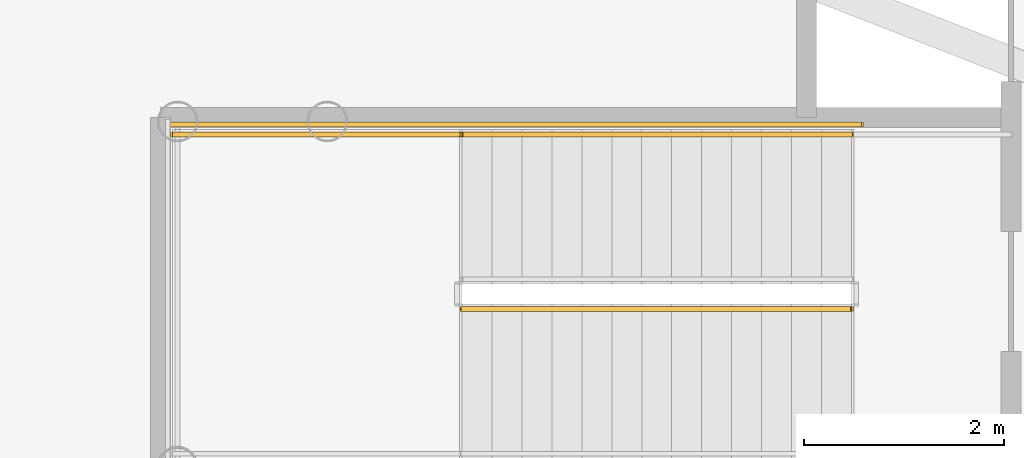
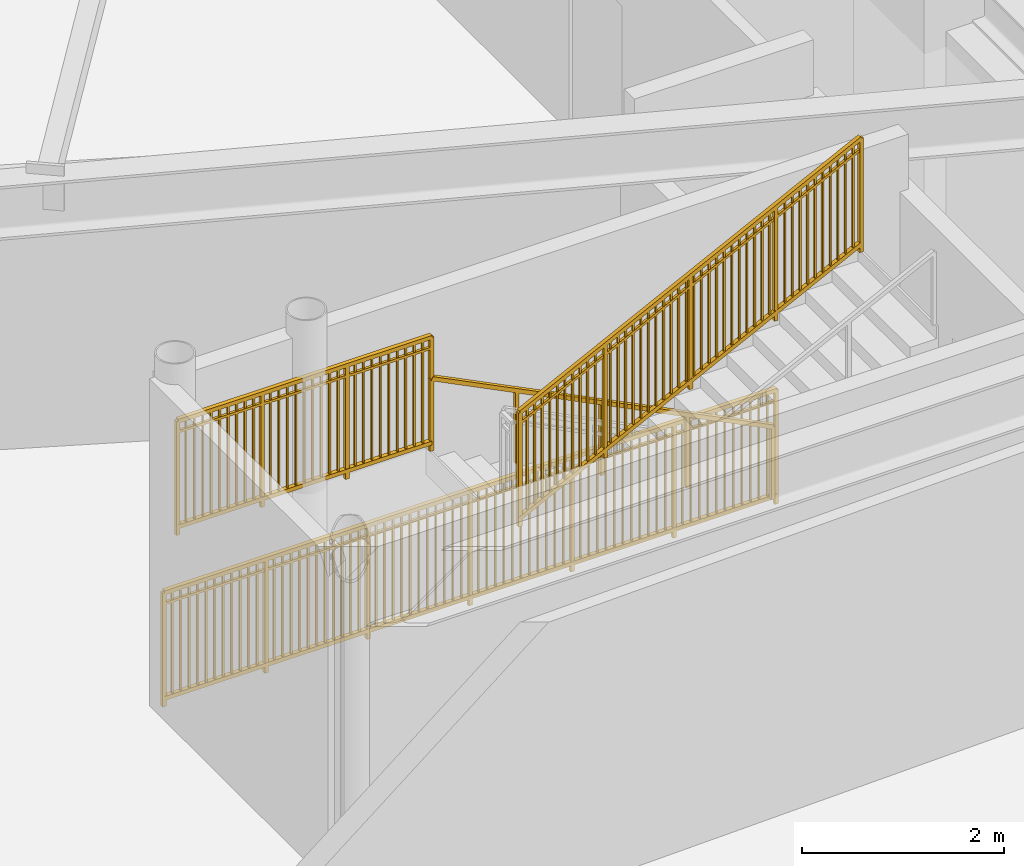
# One storey, part 23 of 32: 4 railings.
"""IFC4 building model written with IfcOpenShell, lengths in metres."""

import ifcopenshell
import ifcopenshell.guid

model = None  # the IFC model being written
_history = None  # IfcOwnerHistory: only IFC2X3 demands one
_inside = {}  # id of a spatial element -> (the spatial element, [elements in it])
_under = {}  # id of a project, library or spatial element -> (it, [spatial elements below it])
_declared = {}  # id of a project -> (the project, [libraries it declares])
_typed = {}  # id of a type object -> (the type object, [elements of that type])
_made_of = {}  # id of a material, layer set ... -> (it, [elements and type objects made of it])


def new_model(schema):
    """Start an empty IFC model of exactly this schema.

    Asked for "IFC4X3", IfcOpenShell would pick the latest addendum, in which some entities
    have other attributes; the version numbers below select the first issue.
    IFC2X3 requires an IfcOwnerHistory on every rooted entity: one is made here for all.
    """
    global model, _history
    if schema == "IFC4X3":
        model = ifcopenshell.file(schema_version=(4, 3, 0, 0))
    else:
        model = ifcopenshell.file(schema=schema)
    _inside.clear()
    _under.clear()
    _declared.clear()
    _typed.clear()
    _made_of.clear()
    _history = None
    if model.schema == "IFC2X3":
        org = make("IfcOrganization", Name="unknown")
        user = make(
            "IfcPersonAndOrganization",
            ThePerson=make("IfcPerson", FamilyName="unknown"),
            TheOrganization=org,
        )
        app = make(
            "IfcApplication",
            ApplicationDeveloper=org,
            Version="unknown",
            ApplicationFullName="unknown",
            ApplicationIdentifier="unknown",
        )
        _history = make(
            "IfcOwnerHistory",
            OwningUser=user,
            OwningApplication=app,
            ChangeAction="ADDED",
            CreationDate=0,
        )
    return model


def make(cls, **values):
    """One entity of the class cls with the attributes given. An attribute that is None is left unset."""
    return model.create_entity(
        cls, **{name: value for name, value in values.items() if value is not None}
    )


def rooted(cls, **values):
    """An entity with a GlobalId (a new one), such as an element, a storey or a relation."""
    return make(cls, GlobalId=ifcopenshell.guid.new(), OwnerHistory=_history, **values)


def si_unit(unit_type, name, prefix=None):
    """IfcSIUnit, for example si_unit("LENGTHUNIT", "METRE", prefix="MILLI")."""
    return make("IfcSIUnit", UnitType=unit_type, Prefix=prefix, Name=name)


def assignment(units):
    """IfcUnitAssignment: the units of a project."""
    return None if units is None else make("IfcUnitAssignment", Units=units)


def point(xyz):
    """IfcCartesianPoint."""
    return None if xyz is None else make("IfcCartesianPoint", Coordinates=xyz)


def direction(xyz):
    """IfcDirection."""
    return None if xyz is None else make("IfcDirection", DirectionRatios=xyz)


def frame(location, z_axis=None, x_axis=None):
    """IfcAxis2Placement3D, a coordinate frame: its origin and axes. An axis left out is left unset."""
    return make(
        "IfcAxis2Placement3D",
        Location=point(location),
        Axis=direction(z_axis),
        RefDirection=direction(x_axis),
    )


def frame_2d(location, x_axis=None):
    """IfcAxis2Placement2D, a coordinate frame in the plane: its origin and x axis."""
    return make(
        "IfcAxis2Placement2D", Location=point(location), RefDirection=direction(x_axis)
    )


def origin():
    """The frame at (0, 0, 0) with its axes left unset."""
    return frame((0.0, 0.0, 0.0))


def origin_2d():
    """The frame at (0, 0) in the plane with its x axis left unset."""
    return frame_2d((0.0, 0.0))


def place(relative_to, where):
    """IfcLocalPlacement: puts the frame where relative to a parent placement (None: the world)."""
    return make(
        "IfcLocalPlacement", PlacementRelTo=relative_to, RelativePlacement=where
    )


def context(
    kind, dimensions, precision=None, world=None, true_north=None, identifier=None
):
    """IfcGeometricRepresentationContext, for example the 3D "Model" context."""
    return make(
        "IfcGeometricRepresentationContext",
        ContextIdentifier=identifier,
        ContextType=kind,
        CoordinateSpaceDimension=dimensions,
        Precision=precision,
        WorldCoordinateSystem=world,
        TrueNorth=true_north,
    )


def subcontext(parent, identifier, kind, view, scale=None):
    """IfcGeometricRepresentationSubContext, for example "Body" below "Model"."""
    return make(
        "IfcGeometricRepresentationSubContext",
        ContextIdentifier=identifier,
        ContextType=kind,
        ParentContext=parent,
        TargetScale=scale,
        TargetView=view,
    )


def project(units=None, contexts=None):
    """IfcProject with its units and contexts."""
    return rooted(
        "IfcProject",
        Name="project",
        RepresentationContexts=contexts,
        UnitsInContext=assignment(units),
    )


def spatial(cls, under=None, at=None, **own):
    """A site, building, storey or space (cls), placed at a placement, below another one or the project."""
    s = rooted(cls, ObjectPlacement=at, **own)
    if under is not None:
        _under.setdefault(under.id(), (under, []))[1].append(s)
    return s


def profile(cls, at=None, kind="AREA", **sizes):
    """A parametric profile (cls). Its sizes go by their IFC names, for example OverallWidth=200.0."""
    return make(cls, ProfileType=kind, Position=at, **sizes)


def rectangle(**sizes):
    """IfcRectangleProfileDef."""
    return profile("IfcRectangleProfileDef", **sizes)


def extrude(swept, where, along, depth):
    """IfcExtrudedAreaSolid: the profile swept, set in the frame where, extruded along a direction by depth."""
    return make(
        "IfcExtrudedAreaSolid",
        SweptArea=swept,
        Position=where,
        ExtrudedDirection=direction(along),
        Depth=depth,
    )


def shape(context_of_items, identifier, shape_type, items):
    """IfcShapeRepresentation: the items that make up one representation, for example the "Body"."""
    return make(
        "IfcShapeRepresentation",
        ContextOfItems=context_of_items,
        RepresentationIdentifier=identifier,
        RepresentationType=shape_type,
        Items=items,
    )


def source(mapping_origin, context_of_items, identifier, shape_type, items):
    """IfcRepresentationMap: a shape defined once, which mapped items show again and again."""
    return make(
        "IfcRepresentationMap",
        MappingOrigin=mapping_origin,
        MappedRepresentation=shape(context_of_items, identifier, shape_type, items),
    )


def transform(
    local_origin,
    x_axis=None,
    y_axis=None,
    z_axis=None,
    scale=None,
    scale2=None,
    scale3=None,
    uniform=True,
):
    """IfcCartesianTransformationOperator3D, or its non-uniform kind. x_axis, y_axis, z_axis: its Axis1, 2, 3."""
    if uniform:
        return make(
            "IfcCartesianTransformationOperator3D",
            Axis1=direction(x_axis),
            Axis2=direction(y_axis),
            LocalOrigin=point(local_origin),
            Scale=scale,
            Axis3=direction(z_axis),
        )
    return make(
        "IfcCartesianTransformationOperator3DnonUniform",
        Axis1=direction(x_axis),
        Axis2=direction(y_axis),
        LocalOrigin=point(local_origin),
        Scale=scale,
        Axis3=direction(z_axis),
        Scale2=scale2,
        Scale3=scale3,
    )


def mapped(mapping_source, mapping_target):
    """IfcMappedItem: shows the shape of a source again, moved by a transform."""
    return make(
        "IfcMappedItem", MappingSource=mapping_source, MappingTarget=mapping_target
    )


def material(Name=None, Category=None):
    """IfcMaterial."""
    return make("IfcMaterial", Name=Name, Category=Category)


def made_of(thing, what):
    """Note that an element or type object is made of a material, layer set ...; save() writes the relation."""
    if what is not None:
        _made_of.setdefault(what.id(), (what, []))[1].append(thing)
    return thing


def type_object(cls, material=None, **own):
    """A type object (cls), such as IfcWallType, which elements share."""
    return made_of(rooted(cls, **own), material)


def element(
    cls,
    number,
    at=None,
    inside=None,
    cuts=None,
    type_object=None,
    material=None,
    context=None,
    identifier="Body",
    shape_type=None,
    held_by="IfcProductDefinitionShape",
    body=None,
    shapes=None,
    **own,
):
    """One element of the class cls, such as IfcWall. Its Tag is "e" and its number.

    at: its placement. inside: the storey or other place that contains it. cuts: it is an
    opening in that element (IfcRelVoidsElement). A single representation is given by context,
    identifier, shape_type and body (its items); several are given by shapes. held_by: the class
    of the entity that holds the representations. save() writes the other relations.
    """
    e = rooted(cls, Tag="e%d" % number, ObjectPlacement=at, **own)
    if body is not None:
        shapes = [shape(context, identifier, shape_type, body)]
    if shapes is not None:
        e.Representation = make(held_by, Representations=shapes)
    if inside is not None:
        _inside.setdefault(inside.id(), (inside, []))[1].append(e)
    if cuts is not None:
        rooted(
            "IfcRelVoidsElement", RelatingBuildingElement=cuts, RelatedOpeningElement=e
        )
    if type_object is not None:
        _typed.setdefault(type_object.id(), (type_object, []))[1].append(e)
    return made_of(e, material)


def aggregate(whole, parts):
    """IfcRelAggregates: a whole, such as a stair, and the parts it consists of."""
    return rooted("IfcRelAggregates", RelatingObject=whole, RelatedObjects=parts)


def save(model, path):
    """Write the relations noted so far, then the file.

    IfcRelAggregates (storeys below a building ...), IfcRelContainedInSpatialStructure (elements
    in a storey), IfcRelDefinesByType, IfcRelAssociatesMaterial and IfcRelDeclares: one each for
    every whole, place, type object, material and project.
    """
    for whole, parts in _under.values():
        aggregate(whole, parts)
    for where, things in _inside.values():
        rooted(
            "IfcRelContainedInSpatialStructure",
            RelatedElements=things,
            RelatingStructure=where,
        )
    for kind, things in _typed.values():
        rooted("IfcRelDefinesByType", RelatedObjects=things, RelatingType=kind)
    for what, things in _made_of.values():
        rooted("IfcRelAssociatesMaterial", RelatedObjects=things, RelatingMaterial=what)
    for by, libraries in _declared.values():
        rooted("IfcRelDeclares", RelatingContext=by, RelatedDefinitions=libraries)
    model.write(path)


model = new_model("IFC4")

# Units and contexts
model_context = context("Model", 3, precision=1e-05, world=origin(), true_north=direction((0.0, 1.0)))
body_context = subcontext(model_context, "Body", "Model", "MODEL_VIEW")
ifc_project = project(units=[si_unit("LENGTHUNIT", "METRE"), si_unit("AREAUNIT", "SQUARE_METRE"), si_unit("VOLUMEUNIT", "CUBIC_METRE"), si_unit("PLANEANGLEUNIT", "RADIAN"), si_unit("MASSUNIT", "GRAM", prefix="KILO")], contexts=[model_context])

# Site, building, storey
site_placement = place(None, origin())
site = spatial("IfcSite", under=ifc_project, at=site_placement, CompositionType="ELEMENT")
building_placement = place(site_placement, origin())
building = spatial("IfcBuilding", under=site, at=building_placement, Name="Linh Dai School and Residence Tower", CompositionType="ELEMENT")
storey_placement = place(building_placement, frame((0.0, 0.0, 53.39990234375)))
storey = spatial("IfcBuildingStorey", under=building, at=storey_placement, Name="L12", CompositionType="ELEMENT", Elevation=53.39990234375)

# Railings
ifc_material_1 = material(Name="Structural Steel S355JR", Category="steel")
railing_type_1 = type_object("IfcRailingType", Name="RL-ST-GUARD-1400", PredefinedType="GUARDRAIL", material=ifc_material_1)
shared_shape_1 = source(origin(), body_context, "Body", "SweptSolid", [
    extrude(rectangle(XDim=0.048095703125, YDim=0.048095703125, at=origin_2d()), frame((0.0, 0.0, 1.3759765625), z_axis=(-1.0, 0.0, 0.0), x_axis=(0.0, -1.0, 0.0)), (0.0, 0.0, 1.0), 2.89990234375),
    extrude(rectangle(XDim=0.048095703125, YDim=0.048095703125, at=origin_2d()), frame((0.0, 0.0, 0.10009765625), z_axis=(-1.0, 0.0, 0.0), x_axis=(0.0, -1.0, 0.0)), (0.0, 0.0, 1.0), 2.89990234375),
    extrude(rectangle(XDim=0.030029296875, YDim=0.030029296875, at=origin_2d()), frame((0.0, 0.0, 1.239990234375), z_axis=(-1.0, 0.0, 0.0), x_axis=(0.0, -1.0, 0.0)), (0.0, 0.0, 1.0), 2.89990234375),
    extrude(rectangle(XDim=0.02001953125, YDim=0.02001953125, at=origin_2d()), frame((-0.0966796875, 0.0, 0.10009765625)), (0.0, 0.0, 1.0), 1.251708984375),
    extrude(rectangle(XDim=0.02001953125, YDim=0.02001953125, at=origin_2d()), frame((-0.193359375, 0.0, 0.10009765625)), (0.0, 0.0, 1.0), 1.251708984375),
    extrude(rectangle(XDim=0.02001953125, YDim=0.02001953125, at=origin_2d()), frame((-0.2900390625, 0.0, 0.10009765625)), (0.0, 0.0, 1.0), 1.251708984375),
    extrude(rectangle(XDim=0.02001953125, YDim=0.02001953125, at=origin_2d()), frame((-0.38671875, 0.0, 0.10009765625)), (0.0, 0.0, 1.0), 1.251708984375),
    extrude(rectangle(XDim=0.02001953125, YDim=0.02001953125, at=origin_2d()), frame((-0.4833984375, 0.0, 0.10009765625)), (0.0, 0.0, 1.0), 1.251708984375),
    extrude(rectangle(XDim=0.02001953125, YDim=0.02001953125, at=origin_2d()), frame((-0.580078125, 0.0, 0.10009765625)), (0.0, 0.0, 1.0), 1.251708984375),
    extrude(rectangle(XDim=0.02001953125, YDim=0.02001953125, at=origin_2d()), frame((-0.6767578125, 0.0, 0.10009765625)), (0.0, 0.0, 1.0), 1.251708984375),
    extrude(rectangle(XDim=0.02001953125, YDim=0.02001953125, at=origin_2d()), frame((-0.773193359375, 0.0, 0.10009765625)), (0.0, 0.0, 1.0), 1.251708984375),
    extrude(rectangle(XDim=0.02001953125, YDim=0.02001953125, at=origin_2d()), frame((-0.869873046875, 0.0, 0.10009765625)), (0.0, 0.0, 1.0), 1.251708984375),
    extrude(rectangle(XDim=0.02001953125, YDim=0.02001953125, at=origin_2d()), frame((-1.063232421875, 0.0, 0.10009765625)), (0.0, 0.0, 1.0), 1.251708984375),
    extrude(rectangle(XDim=0.02001953125, YDim=0.02001953125, at=origin_2d()), frame((-1.159912109375, 0.0, 0.10009765625)), (0.0, 0.0, 1.0), 1.251708984375),
    extrude(rectangle(XDim=0.02001953125, YDim=0.02001953125, at=origin_2d()), frame((-1.256591796875, 0.0, 0.10009765625)), (0.0, 0.0, 1.0), 1.251708984375),
    extrude(rectangle(XDim=0.02001953125, YDim=0.02001953125, at=origin_2d()), frame((-1.353271484375, 0.0, 0.10009765625)), (0.0, 0.0, 1.0), 1.251708984375),
    extrude(rectangle(XDim=0.02001953125, YDim=0.02001953125, at=origin_2d()), frame((-1.449951171875, 0.0, 0.10009765625)), (0.0, 0.0, 1.0), 1.251708984375),
    extrude(rectangle(XDim=0.02001953125, YDim=0.02001953125, at=origin_2d()), frame((-1.546630859375, 0.0, 0.10009765625)), (0.0, 0.0, 1.0), 1.251708984375),
    extrude(rectangle(XDim=0.02001953125, YDim=0.02001953125, at=origin_2d()), frame((-1.643310546875, 0.0, 0.10009765625)), (0.0, 0.0, 1.0), 1.251708984375),
    extrude(rectangle(XDim=0.02001953125, YDim=0.02001953125, at=origin_2d()), frame((-1.739990234375, 0.0, 0.10009765625)), (0.0, 0.0, 1.0), 1.251708984375),
    extrude(rectangle(XDim=0.02001953125, YDim=0.02001953125, at=origin_2d()), frame((-1.836669921875, 0.0, 0.10009765625)), (0.0, 0.0, 1.0), 1.251708984375),
    extrude(rectangle(XDim=0.02001953125, YDim=0.02001953125, at=origin_2d()), frame((-2.030029296875, 0.0, 0.10009765625)), (0.0, 0.0, 1.0), 1.251708984375),
    extrude(rectangle(XDim=0.02001953125, YDim=0.02001953125, at=origin_2d()), frame((-2.126708984375, 0.0, 0.10009765625)), (0.0, 0.0, 1.0), 1.251708984375),
    extrude(rectangle(XDim=0.02001953125, YDim=0.02001953125, at=origin_2d()), frame((-2.22314453125, 0.0, 0.10009765625)), (0.0, 0.0, 1.0), 1.251708984375),
    extrude(rectangle(XDim=0.02001953125, YDim=0.02001953125, at=origin_2d()), frame((-2.31982421875, 0.0, 0.10009765625)), (0.0, 0.0, 1.0), 1.251708984375),
    extrude(rectangle(XDim=0.02001953125, YDim=0.02001953125, at=origin_2d()), frame((-2.41650390625, 0.0, 0.10009765625)), (0.0, 0.0, 1.0), 1.251708984375),
    extrude(rectangle(XDim=0.02001953125, YDim=0.02001953125, at=origin_2d()), frame((-2.51318359375, 0.0, 0.10009765625)), (0.0, 0.0, 1.0), 1.251708984375),
    extrude(rectangle(XDim=0.02001953125, YDim=0.02001953125, at=origin_2d()), frame((-2.60986328125, 0.0, 0.10009765625)), (0.0, 0.0, 1.0), 1.251708984375),
    extrude(rectangle(XDim=0.02001953125, YDim=0.02001953125, at=origin_2d()), frame((-2.70654296875, 0.0, 0.10009765625)), (0.0, 0.0, 1.0), 1.251708984375),
    extrude(rectangle(XDim=0.02001953125, YDim=0.02001953125, at=origin_2d()), frame((-2.80322265625, 0.0, 0.10009765625)), (0.0, 0.0, 1.0), 1.251708984375),
    extrude(rectangle(XDim=0.0419921875, YDim=0.0419921875, at=origin_2d()), origin(), (0.0, 0.0, 1.0), 1.3759765625),
    extrude(rectangle(XDim=0.0419921875, YDim=0.0419921875, at=origin_2d()), frame((-0.966552734375, 0.0, 0.0)), (0.0, 0.0, 1.0), 1.3759765625),
    extrude(rectangle(XDim=0.0419921875, YDim=0.0419921875, at=origin_2d()), frame((-1.933349609375, 0.0, 0.0)), (0.0, 0.0, 1.0), 1.3759765625),
    extrude(rectangle(XDim=0.0419921875, YDim=0.0419921875, at=origin_2d()), frame((-2.89990234375, 0.0, 0.0)), (0.0, 0.0, 1.0), 1.3759765625),
])
railing_1_placement = place(storey_placement, frame((18.5, 30.949951171875, 2.10009765625)))
element("IfcRailing", 1, at=railing_1_placement, inside=storey, type_object=railing_type_1, Name="L12 STS1 stair guard 3", PredefinedType="GUARDRAIL", context=body_context, shape_type="MappedRepresentation", body=[
    mapped(shared_shape_1, transform((0.0, 0.0, 0.0), x_axis=(1.0, 0.0, 0.0), y_axis=(0.0, 1.0, 0.0), z_axis=(0.0, 0.0, 1.0), scale=1.0)),
])
shared_shape_2 = source(origin(), body_context, "Body", "SweptSolid", [
    extrude(rectangle(XDim=0.048095703125, YDim=0.048095703125, at=origin_2d()), frame((0.0, 0.0, 1.3759765625), z_axis=(-1.0, 0.0, 0.0), x_axis=(0.0, -1.0, 0.0)), (0.0, 0.0, 1.0), 7.0),
    extrude(rectangle(XDim=0.048095703125, YDim=0.048095703125, at=origin_2d()), frame((0.0, 0.0, 0.10009765625), z_axis=(-1.0, 0.0, 0.0), x_axis=(0.0, -1.0, 0.0)), (0.0, 0.0, 1.0), 7.0),
    extrude(rectangle(XDim=0.030029296875, YDim=0.030029296875, at=origin_2d()), frame((0.0, 0.0, 1.239990234375), z_axis=(-1.0, 0.0, 0.0), x_axis=(0.0, -1.0, 0.0)), (0.0, 0.0, 1.0), 7.0),
    extrude(rectangle(XDim=0.02001953125, YDim=0.02001953125, at=origin_2d()), frame((-0.09716796875, 0.0, 0.10009765625)), (0.0, 0.0, 1.0), 1.251708984375),
    extrude(rectangle(XDim=0.02001953125, YDim=0.02001953125, at=origin_2d()), frame((-0.1943359375, 0.0, 0.10009765625)), (0.0, 0.0, 1.0), 1.251708984375),
    extrude(rectangle(XDim=0.02001953125, YDim=0.02001953125, at=origin_2d()), frame((-0.291748046875, 0.0, 0.10009765625)), (0.0, 0.0, 1.0), 1.251708984375),
    extrude(rectangle(XDim=0.02001953125, YDim=0.02001953125, at=origin_2d()), frame((-0.388916015625, 0.0, 0.10009765625)), (0.0, 0.0, 1.0), 1.251708984375),
    extrude(rectangle(XDim=0.02001953125, YDim=0.02001953125, at=origin_2d()), frame((-0.486083984375, 0.0, 0.10009765625)), (0.0, 0.0, 1.0), 1.251708984375),
    extrude(rectangle(XDim=0.02001953125, YDim=0.02001953125, at=origin_2d()), frame((-0.583251953125, 0.0, 0.10009765625)), (0.0, 0.0, 1.0), 1.251708984375),
    extrude(rectangle(XDim=0.02001953125, YDim=0.02001953125, at=origin_2d()), frame((-0.6806640625, 0.0, 0.10009765625)), (0.0, 0.0, 1.0), 1.251708984375),
    extrude(rectangle(XDim=0.02001953125, YDim=0.02001953125, at=origin_2d()), frame((-0.77783203125, 0.0, 0.10009765625)), (0.0, 0.0, 1.0), 1.251708984375),
    extrude(rectangle(XDim=0.02001953125, YDim=0.02001953125, at=origin_2d()), frame((-0.875, 0.0, 0.10009765625)), (0.0, 0.0, 1.0), 1.251708984375),
    extrude(rectangle(XDim=0.02001953125, YDim=0.02001953125, at=origin_2d()), frame((-0.97216796875, 0.0, 0.10009765625)), (0.0, 0.0, 1.0), 1.251708984375),
    extrude(rectangle(XDim=0.02001953125, YDim=0.02001953125, at=origin_2d()), frame((-1.0693359375, 0.0, 0.10009765625)), (0.0, 0.0, 1.0), 1.251708984375),
    extrude(rectangle(XDim=0.02001953125, YDim=0.02001953125, at=origin_2d()), frame((-1.263916015625, 0.0, 0.10009765625)), (0.0, 0.0, 1.0), 1.251708984375),
    extrude(rectangle(XDim=0.02001953125, YDim=0.02001953125, at=origin_2d()), frame((-1.361083984375, 0.0, 0.10009765625)), (0.0, 0.0, 1.0), 1.251708984375),
    extrude(rectangle(XDim=0.02001953125, YDim=0.02001953125, at=origin_2d()), frame((-1.458251953125, 0.0, 0.10009765625)), (0.0, 0.0, 1.0), 1.251708984375),
    extrude(rectangle(XDim=0.02001953125, YDim=0.02001953125, at=origin_2d()), frame((-1.5556640625, 0.0, 0.10009765625)), (0.0, 0.0, 1.0), 1.251708984375),
    extrude(rectangle(XDim=0.02001953125, YDim=0.02001953125, at=origin_2d()), frame((-1.65283203125, 0.0, 0.10009765625)), (0.0, 0.0, 1.0), 1.251708984375),
    extrude(rectangle(XDim=0.02001953125, YDim=0.02001953125, at=origin_2d()), frame((-1.75, 0.0, 0.10009765625)), (0.0, 0.0, 1.0), 1.251708984375),
    extrude(rectangle(XDim=0.02001953125, YDim=0.02001953125, at=origin_2d()), frame((-1.84716796875, 0.0, 0.10009765625)), (0.0, 0.0, 1.0), 1.251708984375),
    extrude(rectangle(XDim=0.02001953125, YDim=0.02001953125, at=origin_2d()), frame((-1.9443359375, 0.0, 0.10009765625)), (0.0, 0.0, 1.0), 1.251708984375),
    extrude(rectangle(XDim=0.02001953125, YDim=0.02001953125, at=origin_2d()), frame((-2.041748046875, 0.0, 0.10009765625)), (0.0, 0.0, 1.0), 1.251708984375),
    extrude(rectangle(XDim=0.02001953125, YDim=0.02001953125, at=origin_2d()), frame((-2.138916015625, 0.0, 0.10009765625)), (0.0, 0.0, 1.0), 1.251708984375),
    extrude(rectangle(XDim=0.02001953125, YDim=0.02001953125, at=origin_2d()), frame((-2.236083984375, 0.0, 0.10009765625)), (0.0, 0.0, 1.0), 1.251708984375),
    extrude(rectangle(XDim=0.02001953125, YDim=0.02001953125, at=origin_2d()), frame((-2.4306640625, 0.0, 0.10009765625)), (0.0, 0.0, 1.0), 1.251708984375),
    extrude(rectangle(XDim=0.02001953125, YDim=0.02001953125, at=origin_2d()), frame((-2.52783203125, 0.0, 0.10009765625)), (0.0, 0.0, 1.0), 1.251708984375),
    extrude(rectangle(XDim=0.02001953125, YDim=0.02001953125, at=origin_2d()), frame((-2.625, 0.0, 0.10009765625)), (0.0, 0.0, 1.0), 1.251708984375),
    extrude(rectangle(XDim=0.02001953125, YDim=0.02001953125, at=origin_2d()), frame((-2.72216796875, 0.0, 0.10009765625)), (0.0, 0.0, 1.0), 1.251708984375),
    extrude(rectangle(XDim=0.02001953125, YDim=0.02001953125, at=origin_2d()), frame((-2.8193359375, 0.0, 0.10009765625)), (0.0, 0.0, 1.0), 1.251708984375),
    extrude(rectangle(XDim=0.02001953125, YDim=0.02001953125, at=origin_2d()), frame((-2.916748046875, 0.0, 0.10009765625)), (0.0, 0.0, 1.0), 1.251708984375),
    extrude(rectangle(XDim=0.02001953125, YDim=0.02001953125, at=origin_2d()), frame((-3.013916015625, 0.0, 0.10009765625)), (0.0, 0.0, 1.0), 1.251708984375),
    extrude(rectangle(XDim=0.02001953125, YDim=0.02001953125, at=origin_2d()), frame((-3.111083984375, 0.0, 0.10009765625)), (0.0, 0.0, 1.0), 1.251708984375),
    extrude(rectangle(XDim=0.02001953125, YDim=0.02001953125, at=origin_2d()), frame((-3.208251953125, 0.0, 0.10009765625)), (0.0, 0.0, 1.0), 1.251708984375),
    extrude(rectangle(XDim=0.02001953125, YDim=0.02001953125, at=origin_2d()), frame((-3.3056640625, 0.0, 0.10009765625)), (0.0, 0.0, 1.0), 1.251708984375),
    extrude(rectangle(XDim=0.02001953125, YDim=0.02001953125, at=origin_2d()), frame((-3.40283203125, 0.0, 0.10009765625)), (0.0, 0.0, 1.0), 1.251708984375),
    extrude(rectangle(XDim=0.02001953125, YDim=0.02001953125, at=origin_2d()), frame((-3.59716796875, 0.0, 0.10009765625)), (0.0, 0.0, 1.0), 1.251708984375),
    extrude(rectangle(XDim=0.02001953125, YDim=0.02001953125, at=origin_2d()), frame((-3.6943359375, 0.0, 0.10009765625)), (0.0, 0.0, 1.0), 1.251708984375),
    extrude(rectangle(XDim=0.02001953125, YDim=0.02001953125, at=origin_2d()), frame((-3.791748046875, 0.0, 0.10009765625)), (0.0, 0.0, 1.0), 1.251708984375),
    extrude(rectangle(XDim=0.02001953125, YDim=0.02001953125, at=origin_2d()), frame((-3.888916015625, 0.0, 0.10009765625)), (0.0, 0.0, 1.0), 1.251708984375),
    extrude(rectangle(XDim=0.02001953125, YDim=0.02001953125, at=origin_2d()), frame((-3.986083984375, 0.0, 0.10009765625)), (0.0, 0.0, 1.0), 1.251708984375),
    extrude(rectangle(XDim=0.02001953125, YDim=0.02001953125, at=origin_2d()), frame((-4.083251953125, 0.0, 0.10009765625)), (0.0, 0.0, 1.0), 1.251708984375),
    extrude(rectangle(XDim=0.02001953125, YDim=0.02001953125, at=origin_2d()), frame((-4.1806640625, 0.0, 0.10009765625)), (0.0, 0.0, 1.0), 1.251708984375),
    extrude(rectangle(XDim=0.02001953125, YDim=0.02001953125, at=origin_2d()), frame((-4.27783203125, 0.0, 0.10009765625)), (0.0, 0.0, 1.0), 1.251708984375),
    extrude(rectangle(XDim=0.02001953125, YDim=0.02001953125, at=origin_2d()), frame((-4.375, 0.0, 0.10009765625)), (0.0, 0.0, 1.0), 1.251708984375),
    extrude(rectangle(XDim=0.02001953125, YDim=0.02001953125, at=origin_2d()), frame((-4.47216796875, 0.0, 0.10009765625)), (0.0, 0.0, 1.0), 1.251708984375),
    extrude(rectangle(XDim=0.02001953125, YDim=0.02001953125, at=origin_2d()), frame((-4.5693359375, 0.0, 0.10009765625)), (0.0, 0.0, 1.0), 1.251708984375),
    extrude(rectangle(XDim=0.02001953125, YDim=0.02001953125, at=origin_2d()), frame((-4.763916015625, 0.0, 0.10009765625)), (0.0, 0.0, 1.0), 1.251708984375),
    extrude(rectangle(XDim=0.02001953125, YDim=0.02001953125, at=origin_2d()), frame((-4.861083984375, 0.0, 0.10009765625)), (0.0, 0.0, 1.0), 1.251708984375),
    extrude(rectangle(XDim=0.02001953125, YDim=0.02001953125, at=origin_2d()), frame((-4.958251953125, 0.0, 0.10009765625)), (0.0, 0.0, 1.0), 1.251708984375),
    extrude(rectangle(XDim=0.02001953125, YDim=0.02001953125, at=origin_2d()), frame((-5.0556640625, 0.0, 0.10009765625)), (0.0, 0.0, 1.0), 1.251708984375),
    extrude(rectangle(XDim=0.02001953125, YDim=0.02001953125, at=origin_2d()), frame((-5.15283203125, 0.0, 0.10009765625)), (0.0, 0.0, 1.0), 1.251708984375),
    extrude(rectangle(XDim=0.02001953125, YDim=0.02001953125, at=origin_2d()), frame((-5.25, 0.0, 0.10009765625)), (0.0, 0.0, 1.0), 1.251708984375),
    extrude(rectangle(XDim=0.02001953125, YDim=0.02001953125, at=origin_2d()), frame((-5.34716796875, 0.0, 0.10009765625)), (0.0, 0.0, 1.0), 1.251708984375),
    extrude(rectangle(XDim=0.02001953125, YDim=0.02001953125, at=origin_2d()), frame((-5.4443359375, 0.0, 0.10009765625)), (0.0, 0.0, 1.0), 1.251708984375),
    extrude(rectangle(XDim=0.02001953125, YDim=0.02001953125, at=origin_2d()), frame((-5.541748046875, 0.0, 0.10009765625)), (0.0, 0.0, 1.0), 1.251708984375),
    extrude(rectangle(XDim=0.02001953125, YDim=0.02001953125, at=origin_2d()), frame((-5.638916015625, 0.0, 0.10009765625)), (0.0, 0.0, 1.0), 1.251708984375),
    extrude(rectangle(XDim=0.02001953125, YDim=0.02001953125, at=origin_2d()), frame((-5.736083984375, 0.0, 0.10009765625)), (0.0, 0.0, 1.0), 1.251708984375),
    extrude(rectangle(XDim=0.02001953125, YDim=0.02001953125, at=origin_2d()), frame((-5.9306640625, 0.0, 0.10009765625)), (0.0, 0.0, 1.0), 1.251708984375),
    extrude(rectangle(XDim=0.02001953125, YDim=0.02001953125, at=origin_2d()), frame((-6.02783203125, 0.0, 0.10009765625)), (0.0, 0.0, 1.0), 1.251708984375),
    extrude(rectangle(XDim=0.02001953125, YDim=0.02001953125, at=origin_2d()), frame((-6.125, 0.0, 0.10009765625)), (0.0, 0.0, 1.0), 1.251708984375),
    extrude(rectangle(XDim=0.02001953125, YDim=0.02001953125, at=origin_2d()), frame((-6.22216796875, 0.0, 0.10009765625)), (0.0, 0.0, 1.0), 1.251708984375),
    extrude(rectangle(XDim=0.02001953125, YDim=0.02001953125, at=origin_2d()), frame((-6.3193359375, 0.0, 0.10009765625)), (0.0, 0.0, 1.0), 1.251708984375),
    extrude(rectangle(XDim=0.02001953125, YDim=0.02001953125, at=origin_2d()), frame((-6.416748046875, 0.0, 0.10009765625)), (0.0, 0.0, 1.0), 1.251708984375),
    extrude(rectangle(XDim=0.02001953125, YDim=0.02001953125, at=origin_2d()), frame((-6.513916015625, 0.0, 0.10009765625)), (0.0, 0.0, 1.0), 1.251708984375),
    extrude(rectangle(XDim=0.02001953125, YDim=0.02001953125, at=origin_2d()), frame((-6.611083984375, 0.0, 0.10009765625)), (0.0, 0.0, 1.0), 1.251708984375),
    extrude(rectangle(XDim=0.02001953125, YDim=0.02001953125, at=origin_2d()), frame((-6.708251953125, 0.0, 0.10009765625)), (0.0, 0.0, 1.0), 1.251708984375),
    extrude(rectangle(XDim=0.02001953125, YDim=0.02001953125, at=origin_2d()), frame((-6.8056640625, 0.0, 0.10009765625)), (0.0, 0.0, 1.0), 1.251708984375),
    extrude(rectangle(XDim=0.02001953125, YDim=0.02001953125, at=origin_2d()), frame((-6.90283203125, 0.0, 0.10009765625)), (0.0, 0.0, 1.0), 1.251708984375),
    extrude(rectangle(XDim=0.0419921875, YDim=0.0419921875, at=origin_2d()), origin(), (0.0, 0.0, 1.0), 1.3759765625),
    extrude(rectangle(XDim=0.0419921875, YDim=0.0419921875, at=origin_2d()), frame((-1.166748046875, 0.0, 0.0)), (0.0, 0.0, 1.0), 1.3759765625),
    extrude(rectangle(XDim=0.0419921875, YDim=0.0419921875, at=origin_2d()), frame((-2.333251953125, 0.0, 0.0)), (0.0, 0.0, 1.0), 1.3759765625),
    extrude(rectangle(XDim=0.0419921875, YDim=0.0419921875, at=origin_2d()), frame((-3.5, 0.0, 0.0)), (0.0, 0.0, 1.0), 1.3759765625),
    extrude(rectangle(XDim=0.0419921875, YDim=0.0419921875, at=origin_2d()), frame((-4.666748046875, 0.0, 0.0)), (0.0, 0.0, 1.0), 1.3759765625),
    extrude(rectangle(XDim=0.0419921875, YDim=0.0419921875, at=origin_2d()), frame((-5.833251953125, 0.0, 0.0)), (0.0, 0.0, 1.0), 1.3759765625),
    extrude(rectangle(XDim=0.0419921875, YDim=0.0419921875, at=origin_2d()), frame((-7.0, 0.0, 0.0)), (0.0, 0.0, 1.0), 1.3759765625),
])
railing_2_placement = place(storey_placement, frame((22.5, 31.050048828125, 0.0)))
element("IfcRailing", 2, at=railing_2_placement, inside=storey, type_object=railing_type_1, Name="L12 STS1 stair guard 10", PredefinedType="GUARDRAIL", context=body_context, shape_type="MappedRepresentation", body=[
    mapped(shared_shape_2, transform((0.0, 0.0, 0.0), x_axis=(1.0, 0.0, 0.0), y_axis=(0.0, 1.0, 0.0), z_axis=(0.0, 0.0, 1.0), scale=1.0)),
])
ifc_material_2 = material(Name="Brushed Stainless Steel Handrail", Category="steel")
railing_type_2 = type_object("IfcRailingType", Name="RL-ST-HANDRAIL-900", PredefinedType="HANDRAIL", material=ifc_material_2)
shared_shape_3 = source(origin(), body_context, "Body", "SweptSolid", [
    extrude(rectangle(XDim=0.048095703125, YDim=0.048095703125, at=origin_2d()), frame((0.0, 0.0, 0.8759765625), z_axis=(-0.894427191, 0.0, 0.4472135955), x_axis=(0.0, -1.0, 0.0)), (0.0, 0.0, 1.0), 4.360107421875),
    extrude(rectangle(XDim=0.0419921875, YDim=0.0419921875, at=origin_2d()), origin(), (0.0, 0.0, 1.0), 0.8759765625),
    extrude(rectangle(XDim=0.0419921875, YDim=0.0419921875, at=origin_2d()), frame((-0.97509765625, 0.0, 0.487548828125)), (0.0, 0.0, 1.0), 0.8759765625),
    extrude(rectangle(XDim=0.0419921875, YDim=0.0419921875, at=origin_2d()), frame((-1.949951171875, 0.0, 0.97509765625)), (0.0, 0.0, 1.0), 0.8759765625),
    extrude(rectangle(XDim=0.0419921875, YDim=0.0419921875, at=origin_2d()), frame((-2.9248046875, 0.0, 1.46240234375)), (0.0, 0.0, 1.0), 0.8759765625),
    extrude(rectangle(XDim=0.0419921875, YDim=0.0419921875, at=origin_2d()), frame((-3.89990234375, 0.0, 1.949951171875)), (0.0, 0.0, 1.0), 0.8759765625),
])
railing_3_placement = place(storey_placement, frame((22.39990234375, 30.949951171875, 0.150146484375)))
element("IfcRailing", 3, at=railing_3_placement, inside=storey, type_object=railing_type_2, Name="L12 STS1 stair handrail 1", PredefinedType="HANDRAIL", context=body_context, shape_type="MappedRepresentation", body=[
    mapped(shared_shape_3, transform((0.0, 0.0, 0.0), x_axis=(1.0, 0.0, 0.0), y_axis=(0.0, 1.0, 0.0), z_axis=(0.0, 0.0, 1.0), scale=1.0)),
])
shared_shape_4 = source(origin(), body_context, "Body", "SweptSolid", [
    extrude(rectangle(XDim=0.048095703125, YDim=0.048095703125, at=origin_2d()), frame((0.0, 0.0, 1.3759765625), z_axis=(0.894404793364, 0.0, 0.447258387967), x_axis=(0.0, 1.0, 0.0)), (0.0, 0.0, 1.0), 4.3603515625),
    extrude(rectangle(XDim=0.048095703125, YDim=0.048095703125, at=origin_2d()), frame((0.0, 0.0, 0.10009765625), z_axis=(0.894404793364, 0.0, 0.447258387967), x_axis=(0.0, 1.0, 0.0)), (0.0, 0.0, 1.0), 4.3603515625),
    extrude(rectangle(XDim=0.030029296875, YDim=0.030029296875, at=origin_2d()), frame((0.0, 0.0, 1.239990234375), z_axis=(0.894404793364, 0.0, 0.447258387967), x_axis=(0.0, 1.0, 0.0)), (0.0, 0.0, 1.0), 4.3603515625),
    extrude(rectangle(XDim=0.02001953125, YDim=0.02001953125, at=origin_2d()), frame((0.086669921875, 0.0, 0.1435546875)), (0.0, 0.0, 1.0), 1.251708984375),
    extrude(rectangle(XDim=0.02001953125, YDim=0.02001953125, at=origin_2d()), frame((0.17333984375, 0.0, 0.186767578125)), (0.0, 0.0, 1.0), 1.251708984375),
    extrude(rectangle(XDim=0.02001953125, YDim=0.02001953125, at=origin_2d()), frame((0.260009765625, 0.0, 0.230224609375)), (0.0, 0.0, 1.0), 1.251708984375),
    extrude(rectangle(XDim=0.02001953125, YDim=0.02001953125, at=origin_2d()), frame((0.3466796875, 0.0, 0.2734375)), (0.0, 0.0, 1.0), 1.251708984375),
    extrude(rectangle(XDim=0.02001953125, YDim=0.02001953125, at=origin_2d()), frame((0.433349609375, 0.0, 0.31689453125)), (0.0, 0.0, 1.0), 1.251708984375),
    extrude(rectangle(XDim=0.02001953125, YDim=0.02001953125, at=origin_2d()), frame((0.52001953125, 0.0, 0.360107421875)), (0.0, 0.0, 1.0), 1.251708984375),
    extrude(rectangle(XDim=0.02001953125, YDim=0.02001953125, at=origin_2d()), frame((0.606689453125, 0.0, 0.403564453125)), (0.0, 0.0, 1.0), 1.251708984375),
    extrude(rectangle(XDim=0.02001953125, YDim=0.02001953125, at=origin_2d()), frame((0.693359375, 0.0, 0.44677734375)), (0.0, 0.0, 1.0), 1.251708984375),
    extrude(rectangle(XDim=0.02001953125, YDim=0.02001953125, at=origin_2d()), frame((0.780029296875, 0.0, 0.490234375)), (0.0, 0.0, 1.0), 1.251708984375),
    extrude(rectangle(XDim=0.02001953125, YDim=0.02001953125, at=origin_2d()), frame((0.86669921875, 0.0, 0.533447265625)), (0.0, 0.0, 1.0), 1.251708984375),
    extrude(rectangle(XDim=0.02001953125, YDim=0.02001953125, at=origin_2d()), frame((1.0400390625, 0.0, 0.6201171875)), (0.0, 0.0, 1.0), 1.251708984375),
    extrude(rectangle(XDim=0.02001953125, YDim=0.02001953125, at=origin_2d()), frame((1.126708984375, 0.0, 0.66357421875)), (0.0, 0.0, 1.0), 1.251708984375),
    extrude(rectangle(XDim=0.02001953125, YDim=0.02001953125, at=origin_2d()), frame((1.21337890625, 0.0, 0.706787109375)), (0.0, 0.0, 1.0), 1.251708984375),
    extrude(rectangle(XDim=0.02001953125, YDim=0.02001953125, at=origin_2d()), frame((1.300048828125, 0.0, 0.750244140625)), (0.0, 0.0, 1.0), 1.251708984375),
    extrude(rectangle(XDim=0.02001953125, YDim=0.02001953125, at=origin_2d()), frame((1.38671875, 0.0, 0.79345703125)), (0.0, 0.0, 1.0), 1.251708984375),
    extrude(rectangle(XDim=0.02001953125, YDim=0.02001953125, at=origin_2d()), frame((1.473388671875, 0.0, 0.8369140625)), (0.0, 0.0, 1.0), 1.251708984375),
    extrude(rectangle(XDim=0.02001953125, YDim=0.02001953125, at=origin_2d()), frame((1.56005859375, 0.0, 0.880126953125)), (0.0, 0.0, 1.0), 1.251708984375),
    extrude(rectangle(XDim=0.02001953125, YDim=0.02001953125, at=origin_2d()), frame((1.646728515625, 0.0, 0.923583984375)), (0.0, 0.0, 1.0), 1.251708984375),
    extrude(rectangle(XDim=0.02001953125, YDim=0.02001953125, at=origin_2d()), frame((1.7333984375, 0.0, 0.966796875)), (0.0, 0.0, 1.0), 1.251708984375),
    extrude(rectangle(XDim=0.02001953125, YDim=0.02001953125, at=origin_2d()), frame((1.820068359375, 0.0, 1.01025390625)), (0.0, 0.0, 1.0), 1.251708984375),
    extrude(rectangle(XDim=0.02001953125, YDim=0.02001953125, at=origin_2d()), frame((1.90673828125, 0.0, 1.053466796875)), (0.0, 0.0, 1.0), 1.251708984375),
    extrude(rectangle(XDim=0.02001953125, YDim=0.02001953125, at=origin_2d()), frame((1.9931640625, 0.0, 1.096923828125)), (0.0, 0.0, 1.0), 1.251708984375),
    extrude(rectangle(XDim=0.02001953125, YDim=0.02001953125, at=origin_2d()), frame((2.079833984375, 0.0, 1.14013671875)), (0.0, 0.0, 1.0), 1.251708984375),
    extrude(rectangle(XDim=0.02001953125, YDim=0.02001953125, at=origin_2d()), frame((2.16650390625, 0.0, 1.18359375)), (0.0, 0.0, 1.0), 1.251708984375),
    extrude(rectangle(XDim=0.02001953125, YDim=0.02001953125, at=origin_2d()), frame((2.253173828125, 0.0, 1.226806640625)), (0.0, 0.0, 1.0), 1.251708984375),
    extrude(rectangle(XDim=0.02001953125, YDim=0.02001953125, at=origin_2d()), frame((2.33984375, 0.0, 1.270263671875)), (0.0, 0.0, 1.0), 1.251708984375),
    extrude(rectangle(XDim=0.02001953125, YDim=0.02001953125, at=origin_2d()), frame((2.426513671875, 0.0, 1.3134765625)), (0.0, 0.0, 1.0), 1.251708984375),
    extrude(rectangle(XDim=0.02001953125, YDim=0.02001953125, at=origin_2d()), frame((2.51318359375, 0.0, 1.35693359375)), (0.0, 0.0, 1.0), 1.251708984375),
    extrude(rectangle(XDim=0.02001953125, YDim=0.02001953125, at=origin_2d()), frame((2.599853515625, 0.0, 1.400146484375)), (0.0, 0.0, 1.0), 1.251708984375),
    extrude(rectangle(XDim=0.02001953125, YDim=0.02001953125, at=origin_2d()), frame((2.6865234375, 0.0, 1.443603515625)), (0.0, 0.0, 1.0), 1.251708984375),
    extrude(rectangle(XDim=0.02001953125, YDim=0.02001953125, at=origin_2d()), frame((2.773193359375, 0.0, 1.48681640625)), (0.0, 0.0, 1.0), 1.251708984375),
    extrude(rectangle(XDim=0.02001953125, YDim=0.02001953125, at=origin_2d()), frame((2.85986328125, 0.0, 1.5302734375)), (0.0, 0.0, 1.0), 1.251708984375),
    extrude(rectangle(XDim=0.02001953125, YDim=0.02001953125, at=origin_2d()), frame((3.033203125, 0.0, 1.616943359375)), (0.0, 0.0, 1.0), 1.251708984375),
    extrude(rectangle(XDim=0.02001953125, YDim=0.02001953125, at=origin_2d()), frame((3.119873046875, 0.0, 1.66015625)), (0.0, 0.0, 1.0), 1.251708984375),
    extrude(rectangle(XDim=0.02001953125, YDim=0.02001953125, at=origin_2d()), frame((3.20654296875, 0.0, 1.70361328125)), (0.0, 0.0, 1.0), 1.251708984375),
    extrude(rectangle(XDim=0.02001953125, YDim=0.02001953125, at=origin_2d()), frame((3.293212890625, 0.0, 1.746826171875)), (0.0, 0.0, 1.0), 1.251708984375),
    extrude(rectangle(XDim=0.02001953125, YDim=0.02001953125, at=origin_2d()), frame((3.3798828125, 0.0, 1.790283203125)), (0.0, 0.0, 1.0), 1.251708984375),
    extrude(rectangle(XDim=0.02001953125, YDim=0.02001953125, at=origin_2d()), frame((3.466552734375, 0.0, 1.83349609375)), (0.0, 0.0, 1.0), 1.251708984375),
    extrude(rectangle(XDim=0.02001953125, YDim=0.02001953125, at=origin_2d()), frame((3.55322265625, 0.0, 1.876953125)), (0.0, 0.0, 1.0), 1.251708984375),
    extrude(rectangle(XDim=0.02001953125, YDim=0.02001953125, at=origin_2d()), frame((3.639892578125, 0.0, 1.920166015625)), (0.0, 0.0, 1.0), 1.251708984375),
    extrude(rectangle(XDim=0.02001953125, YDim=0.02001953125, at=origin_2d()), frame((3.7265625, 0.0, 1.963623046875)), (0.0, 0.0, 1.0), 1.251708984375),
    extrude(rectangle(XDim=0.02001953125, YDim=0.02001953125, at=origin_2d()), frame((3.813232421875, 0.0, 2.0068359375)), (0.0, 0.0, 1.0), 1.251708984375),
    extrude(rectangle(XDim=0.0419921875, YDim=0.0419921875, at=origin_2d()), origin(), (0.0, 0.0, 1.0), 1.3759765625),
    extrude(rectangle(XDim=0.0419921875, YDim=0.0419921875, at=origin_2d()), frame((0.97509765625, 0.0, 0.487548828125)), (0.0, 0.0, 1.0), 1.3759765625),
    extrude(rectangle(XDim=0.0419921875, YDim=0.0419921875, at=origin_2d()), frame((1.949951171875, 0.0, 0.97509765625)), (0.0, 0.0, 1.0), 1.3759765625),
    extrude(rectangle(XDim=0.0419921875, YDim=0.0419921875, at=origin_2d()), frame((2.9248046875, 0.0, 1.462646484375)), (0.0, 0.0, 1.0), 1.3759765625),
    extrude(rectangle(XDim=0.0419921875, YDim=0.0419921875, at=origin_2d()), frame((3.89990234375, 0.0, 1.9501953125)), (0.0, 0.0, 1.0), 1.3759765625),
])
railing_4_placement = place(storey_placement, frame((18.5, 29.199951171875, 2.25)))
element("IfcRailing", 4, at=railing_4_placement, inside=storey, type_object=railing_type_1, Name="L12 STS1 stair guard 6", PredefinedType="GUARDRAIL", context=body_context, shape_type="MappedRepresentation", body=[
    mapped(shared_shape_4, transform((0.0, 0.0, 0.0), x_axis=(1.0, 0.0, 0.0), y_axis=(0.0, 1.0, 0.0), z_axis=(0.0, 0.0, 1.0), scale=1.0)),
])

save(model, "model.ifc")
